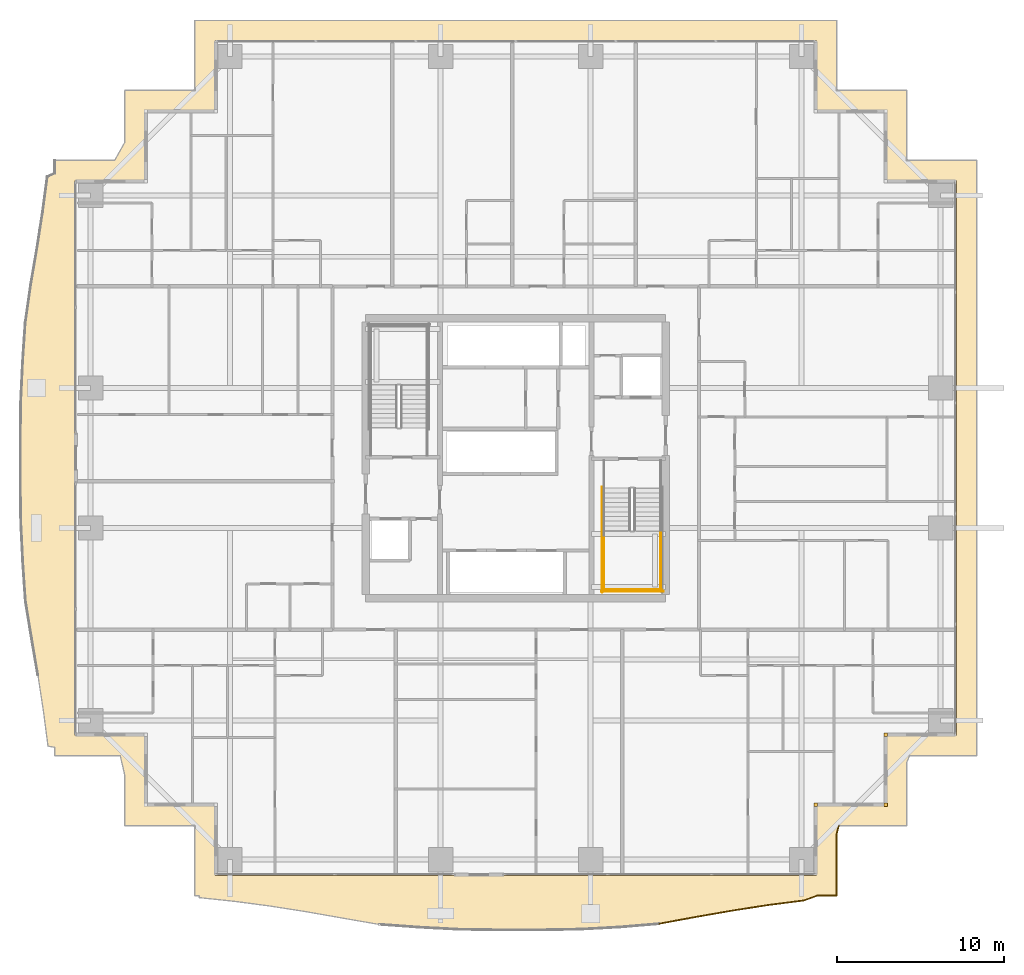
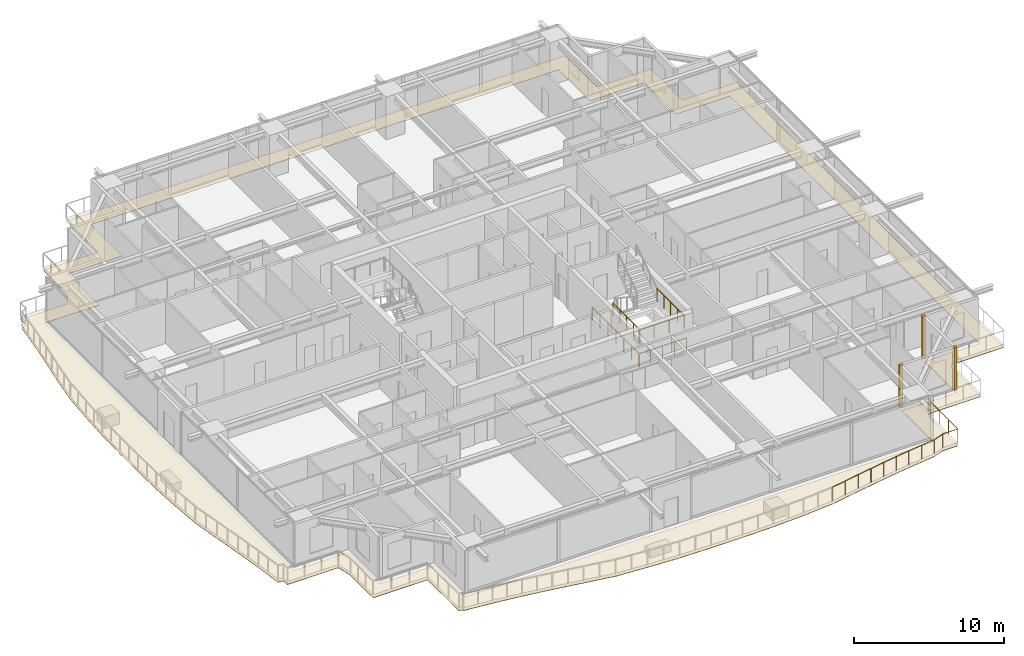
# One storey, part 37 of 41: 6 railings, 4 coverings.
"""IFC4 building model written with IfcOpenShell, lengths in metres."""

from ifc_helpers import new_model, si_unit, direction, frame, origin, origin_2d, place, context, subcontext, project, spatial, polyline, rectangle, circle, outline, extrude, source, transform, mapped, material, layer, layer_set, type_object, element, save


model = new_model("IFC4")

# Units and contexts
model_context = context("Model", 3, precision=1e-05, world=origin(), true_north=direction((0.0, 1.0)))
body_context = subcontext(model_context, "Body", "Model", "MODEL_VIEW")
ifc_project = project(units=[si_unit("LENGTHUNIT", "METRE"), si_unit("AREAUNIT", "SQUARE_METRE"), si_unit("VOLUMEUNIT", "CUBIC_METRE"), si_unit("PLANEANGLEUNIT", "RADIAN"), si_unit("MASSUNIT", "GRAM", prefix="KILO")], contexts=[model_context])

# Site, building, storey
site_placement = place(None, origin())
site = spatial("IfcSite", under=ifc_project, at=site_placement, CompositionType="ELEMENT")
building_placement = place(site_placement, origin())
building = spatial("IfcBuilding", under=site, at=building_placement, Name="Serunith Strait Residences", CompositionType="ELEMENT")
storey_placement = place(building_placement, frame((0.0, 0.0, 45.449951171875)))
storey = spatial("IfcBuildingStorey", under=building, at=storey_placement, Name="L10", CompositionType="ELEMENT", Elevation=45.449951171875)

# Covering
ifc_material_1 = material(Name="Golden Teak Exterior Timber Boarding", Category="wood")
ifc_layer_1 = layer(ifc_material_1, 0.034912109375, Name="Golden Teak Exterior Timber Boarding")
ifc_layer_set_1 = layer_set([ifc_layer_1], Name="Golden Teak Exterior Timber Boarding")
covering_type_1 = type_object("IfcCoveringType", Name="COV-TEAK-SOFFIT", PredefinedType="CEILING", material=ifc_layer_set_1)
covering_placement = place(storey_placement, frame((0.0, 0.0, -0.324951171875)))
element("IfcCovering", 1, at=covering_placement, inside=storey, type_object=covering_type_1, Name="L10 Golden-Teak Balcony Soffit Lining", PredefinedType="CEILING", context=body_context, shape_type="SweptSolid", body=[
    extrude(outline(polyline([(13.139892578125, 3.139892578125), (8.93994140625, 3.139892578125), (8.93994140625, 6.18017578125), (8.674072265625, 7.340087890625), (4.739990234375, 7.340087890625), (4.739990234375, 7.844482421875), (4.337646484375, 7.908935546875), (4.05908203125, 10.03662109375), (3.728759765625, 12.185791015625), (3.35791015625, 14.373291015625), (2.988525390625, 16.62158203125), (2.829345703125, 18.97412109375), (2.712890625, 21.35791015625), (2.679931640625, 23.76318359375), (2.679931640625, 26.1767578125), (2.70751953125, 28.58349609375), (2.8203125, 30.97021484375), (2.9755859375, 33.326904296875), (3.3037109375, 35.5966796875), (3.67724609375, 37.79345703125), (4.0126953125, 39.94921875), (4.298095703125, 42.080810546875), (4.739990234375, 42.282958984375), (4.739990234375, 43.06005859375), (8.3330078125, 43.06005859375), (8.93994140625, 44.125), (8.93994140625, 47.260009765625), (13.139892578125, 47.260009765625), (13.139892578125, 51.4599609375), (51.659912109375, 51.4599609375), (51.659912109375, 47.260009765625), (55.860107421875, 47.260009765625), (55.860107421875, 43.06005859375), (60.06005859375, 43.06005859375), (60.06005859375, 7.340087890625), (56.041259765625, 7.340087890625), (55.860107421875, 6.9423828125), (55.860107421875, 3.139892578125), (51.798095703125, 3.139892578125), (51.659912109375, 2.619140625), (51.659912109375, -1.06005859375), (50.517578125, -1.06005859375), (49.681884765625, -1.360107421875), (47.56005859375, -1.6318359375), (45.419921875, -1.962646484375), (43.2431640625, -2.343994140625), (41.0087890625, -2.7509765625), (38.65869140625, -2.949951171875), (36.264892578125, -3.078857421875), (33.845703125, -3.1201171875), (31.417236328125, -3.1201171875), (28.996337890625, -3.085205078125), (26.598876953125, -2.9609375), (24.23583984375, -2.791259765625), (21.98486328125, -2.40185546875), (19.798828125, -2.016357421875), (17.652587890625, -1.6787109375), (15.527099609375, -1.3994140625), (13.40869140625, -1.1767578125), (13.40966796875, -1.06005859375), (13.139892578125, -1.06005859375), (13.139892578125, 3.139892578125)]), holes=[polyline([(50.455078125, 0.14501953125), (50.455078125, 4.344970703125), (54.655029296875, 4.344970703125), (54.655029296875, 8.544921875), (58.85498046875, 8.544921875), (58.85498046875, 41.85498046875), (54.655029296875, 41.85498046875), (54.655029296875, 46.054931640625), (50.455078125, 46.054931640625), (50.455078125, 50.2548828125), (14.344970703125, 50.2548828125), (14.344970703125, 46.054931640625), (10.14501953125, 46.054931640625), (10.14501953125, 41.85498046875), (5.945068359375, 41.85498046875), (5.945068359375, 8.544921875), (10.14501953125, 8.544921875), (10.14501953125, 4.344970703125), (14.344970703125, 4.344970703125), (14.344970703125, 0.14501953125), (50.455078125, 0.14501953125)])]), origin(), (0.0, 0.0, 1.0), 0.034912109375),
])

# Railings
ifc_material_2 = material(Name="Stainless Steel & Laminated Glass Balustrade", Category="steel")
railing_type_1 = type_object("IfcRailingType", Name="RLG-BALC-1150", PredefinedType="BALUSTRADE", material=ifc_material_2)
railing_1_placement = place(storey_placement, frame((51.798095703125, 3.139892578125, -0.050048828125)))
element("IfcRailing", 2, at=railing_1_placement, inside=storey, type_object=railing_type_1, Name="L10 Swirling Balcony Perimeter Balustrade 6", PredefinedType="BALUSTRADE", context=body_context, shape_type="SweptSolid", body=[
    extrude(circle(Radius=0.02392578125, at=origin_2d()), frame((-0.00048828125, -0.001953125, 1.1259765625), z_axis=(-0.25647789705, -0.966550096128, 0.0), x_axis=(0.966550096128, -0.25647789705, 0.0)), (0.0, 0.0, 1.0), 0.53466796875),
    extrude(circle(Radius=0.02392578125, at=origin_2d()), frame((-0.13818359375, -0.522705078125, 1.1259765625), z_axis=(0.0, -1.0, 0.0), x_axis=(1.0, 0.0, 0.0)), (0.0, 0.0, 1.0), 3.67529296875),
    extrude(circle(Radius=0.02392578125, at=origin_2d()), frame((-0.14013671875, -4.199951171875, 1.1259765625), z_axis=(-1.0, 0.0, 0.0), x_axis=(0.0, -1.0, 0.0)), (0.0, 0.0, 1.0), 1.138427734375),
    extrude(circle(Radius=0.02392578125, at=origin_2d()), frame((-1.282470703125, -4.20068359375, 1.1259765625), z_axis=(-0.941174491763, -0.337920961255, 0.0), x_axis=(0.337920961255, -0.941174491763, 0.0)), (0.0, 0.0, 1.0), 0.884033203125),
    extrude(circle(Radius=0.02392578125, at=origin_2d()), frame((-2.1181640625, -4.500244140625, 1.1259765625), z_axis=(-0.991899372443, -0.12702611915, 0.0), x_axis=(0.12702611915, -0.991899372443, 0.0)), (0.0, 0.0, 1.0), 2.13525390625),
    extrude(circle(Radius=0.02392578125, at=origin_2d()), frame((-4.239990234375, -4.77197265625, 1.1259765625), z_axis=(-0.988263270972, -0.152760293425, 0.0), x_axis=(0.152760293425, -0.988263270972, 0.0)), (0.0, 0.0, 1.0), 2.16162109375),
    extrude(circle(Radius=0.02392578125, at=origin_2d()), frame((-6.380126953125, -5.102783203125, 1.1259765625), z_axis=(-0.984998560497, -0.172562556247, 0.0), x_axis=(0.172562556247, -0.984998560497, 0.0)), (0.0, 0.0, 1.0), 2.205810546875),
    extrude(circle(Radius=0.02392578125, at=origin_2d()), frame((-8.556884765625, -5.484130859375, 1.1259765625), z_axis=(-0.983813102127, -0.179197600661, 0.0), x_axis=(0.179197600661, -0.983813102127, 0.0)), (0.0, 0.0, 1.0), 2.26708984375),
    extrude(circle(Radius=0.02099609375, at=origin_2d()), origin(), (0.0, 0.0, 1.0), 1.099853515625),
    extrude(circle(Radius=0.02099609375, at=origin_2d()), frame((-0.13818359375, -0.520751953125, 0.0)), (0.0, 0.0, 1.0), 1.099853515625),
    extrude(circle(Radius=0.02099609375, at=origin_2d()), frame((-0.13818359375, -1.7470703125, 0.0)), (0.0, 0.0, 1.0), 1.099853515625),
    extrude(circle(Radius=0.02099609375, at=origin_2d()), frame((-0.13818359375, -2.9736328125, 0.0)), (0.0, 0.0, 1.0), 1.099853515625),
    extrude(circle(Radius=0.02099609375, at=origin_2d()), frame((-0.13818359375, -4.199951171875, 0.0)), (0.0, 0.0, 1.0), 1.099853515625),
    extrude(circle(Radius=0.02099609375, at=origin_2d()), frame((-1.280517578125, -4.199951171875, 0.0)), (0.0, 0.0, 1.0), 1.099853515625),
    extrude(circle(Radius=0.02099609375, at=origin_2d()), frame((-2.1162109375, -4.5, 0.0)), (0.0, 0.0, 1.0), 1.099853515625),
    extrude(circle(Radius=0.02099609375, at=origin_2d()), frame((-3.17724609375, -4.6357421875, 0.0)), (0.0, 0.0, 1.0), 1.099853515625),
    extrude(circle(Radius=0.02099609375, at=origin_2d()), frame((-4.238037109375, -4.771728515625, 0.0)), (0.0, 0.0, 1.0), 1.099853515625),
    extrude(circle(Radius=0.02099609375, at=origin_2d()), frame((-5.30810546875, -4.93701171875, 0.0)), (0.0, 0.0, 1.0), 1.099853515625),
    extrude(circle(Radius=0.02099609375, at=origin_2d()), frame((-6.378173828125, -5.1025390625, 0.0)), (0.0, 0.0, 1.0), 1.099853515625),
    extrude(circle(Radius=0.02099609375, at=origin_2d()), frame((-7.466552734375, -5.293212890625, 0.0)), (0.0, 0.0, 1.0), 1.099853515625),
    extrude(circle(Radius=0.02099609375, at=origin_2d()), frame((-8.554931640625, -5.48388671875, 0.0)), (0.0, 0.0, 1.0), 1.099853515625),
    extrude(circle(Radius=0.02099609375, at=origin_2d()), frame((-9.672119140625, -5.6875, 0.0)), (0.0, 0.0, 1.0), 1.099853515625),
    extrude(circle(Radius=0.02099609375, at=origin_2d()), frame((-10.789306640625, -5.890869140625, 0.0)), (0.0, 0.0, 1.0), 1.099853515625),
])
ifc_material_3 = material(Name="Brushed stainless steel 316L", Category="steel")
railing_type_2 = type_object("IfcRailingType", Name="RLG-STAIR-GUARD", PredefinedType="BALUSTRADE", material=ifc_material_3)
for number, where, name in (
    (3, (37.699951171875, 20.85009765625, 1.875), "L10 ST-2 stair guard 3"),
    (4, (41.10009765625, 20.85009765625, 1.875), "L10 ST-2 stair guard 4"),
):
    element("IfcRailing", number, at=place(storey_placement, frame(where)), inside=storey, type_object=railing_type_2, Name=name, PredefinedType="BALUSTRADE", context=body_context, shape_type="SweptSolid", body=[
        extrude(circle(Radius=0.02392578125, at=origin_2d()), frame((0.0, -0.001953125, 1.076171875), z_axis=(0.0, -1.0, 0.0), x_axis=(1.0, 0.0, 0.0)), (0.0, 0.0, 1.0), 3.59619140625),
        extrude(circle(Radius=0.02099609375, at=origin_2d()), origin(), (0.0, 0.0, 1.0), 1.050048828125),
        extrude(circle(Radius=0.02099609375, at=origin_2d()), frame((0.0, -0.89990234375, 0.0)), (0.0, 0.0, 1.0), 1.050048828125),
        extrude(circle(Radius=0.02099609375, at=origin_2d()), frame((0.0, -1.800048828125, 0.0)), (0.0, 0.0, 1.0), 1.050048828125),
        extrude(circle(Radius=0.02099609375, at=origin_2d()), frame((0.0, -2.7001953125, 0.0)), (0.0, 0.0, 1.0), 1.050048828125),
        extrude(circle(Radius=0.02099609375, at=origin_2d()), frame((0.0, -3.60009765625, 0.0)), (0.0, 0.0, 1.0), 1.050048828125),
    ])
railing_2_placement = place(storey_placement, frame((37.64990234375, 17.300048828125, 1.875)))
element("IfcRailing", 5, at=railing_2_placement, inside=storey, type_object=railing_type_2, Name="L10 ST-2 stair guard 5", PredefinedType="BALUSTRADE", context=body_context, shape_type="SweptSolid", body=[
    extrude(circle(Radius=0.02392578125, at=origin_2d()), frame((0.001953125, 0.0, 1.076171875), z_axis=(1.0, 0.0, 0.0), x_axis=(0.0, 1.0, 0.0)), (0.0, 0.0, 1.0), 3.49609375),
    extrude(circle(Radius=0.02099609375, at=origin_2d()), origin(), (0.0, 0.0, 1.0), 1.050048828125),
    extrude(circle(Radius=0.02099609375, at=origin_2d()), frame((1.166748046875, 0.0, 0.0)), (0.0, 0.0, 1.0), 1.050048828125),
    extrude(circle(Radius=0.02099609375, at=origin_2d()), frame((2.333251953125, 0.0, 0.0)), (0.0, 0.0, 1.0), 1.050048828125),
    extrude(circle(Radius=0.02099609375, at=origin_2d()), frame((3.5, 0.0, 0.0)), (0.0, 0.0, 1.0), 1.050048828125),
])
railing_3_placement = place(storey_placement, frame((37.60009765625, 23.469970703125, 0.0)))
element("IfcRailing", 6, at=railing_3_placement, inside=storey, type_object=railing_type_2, Name="L10 ST-2 stair guard 10", PredefinedType="BALUSTRADE", context=body_context, shape_type="SweptSolid", body=[
    extrude(circle(Radius=0.02392578125, at=origin_2d()), frame((0.0, -0.001953125, 1.076171875), z_axis=(0.0, -1.0, 0.0), x_axis=(1.0, 0.0, 0.0)), (0.0, 0.0, 1.0), 6.316162109375),
    extrude(circle(Radius=0.02099609375, at=origin_2d()), origin(), (0.0, 0.0, 1.0), 1.050048828125),
    extrude(circle(Radius=0.02099609375, at=origin_2d()), frame((0.0, -1.05322265625, 0.0)), (0.0, 0.0, 1.0), 1.050048828125),
    extrude(circle(Radius=0.02099609375, at=origin_2d()), frame((0.0, -2.106689453125, 0.0)), (0.0, 0.0, 1.0), 1.050048828125),
    extrude(circle(Radius=0.02099609375, at=origin_2d()), frame((0.0, -3.16015625, 0.0)), (0.0, 0.0, 1.0), 1.050048828125),
    extrude(circle(Radius=0.02099609375, at=origin_2d()), frame((0.0, -4.21337890625, 0.0)), (0.0, 0.0, 1.0), 1.050048828125),
    extrude(circle(Radius=0.02099609375, at=origin_2d()), frame((0.0, -5.2666015625, 0.0)), (0.0, 0.0, 1.0), 1.050048828125),
    extrude(circle(Radius=0.02099609375, at=origin_2d()), frame((0.0, -6.320068359375, 0.0)), (0.0, 0.0, 1.0), 1.050048828125),
])
railing_4_placement = place(storey_placement, frame((37.550048828125, 17.199951171875, 0.0)))
element("IfcRailing", 7, at=railing_4_placement, inside=storey, type_object=railing_type_2, Name="L10 ST-2 stair guard 12", PredefinedType="BALUSTRADE", context=body_context, shape_type="SweptSolid", body=[
    extrude(circle(Radius=0.02392578125, at=origin_2d()), frame((0.001953125, 0.0, 1.076171875), z_axis=(1.0, 0.0, 0.0), x_axis=(0.0, 1.0, 0.0)), (0.0, 0.0, 1.0), 3.696044921875),
    extrude(circle(Radius=0.02099609375, at=origin_2d()), origin(), (0.0, 0.0, 1.0), 1.050048828125),
    extrude(circle(Radius=0.02099609375, at=origin_2d()), frame((0.925048828125, 0.0, 0.0)), (0.0, 0.0, 1.0), 1.050048828125),
    extrude(circle(Radius=0.02099609375, at=origin_2d()), frame((1.85009765625, 0.0, 0.0)), (0.0, 0.0, 1.0), 1.050048828125),
    extrude(circle(Radius=0.02099609375, at=origin_2d()), frame((2.77490234375, 0.0, 0.0)), (0.0, 0.0, 1.0), 1.050048828125),
    extrude(circle(Radius=0.02099609375, at=origin_2d()), frame((3.699951171875, 0.0, 0.0)), (0.0, 0.0, 1.0), 1.050048828125),
])

# Coverings
ifc_material_4 = material(Name="Pale-Champagne Anodised Aluminium", Category="aluminium")
ifc_layer_2 = layer(ifc_material_4, 0.219970703125, Name="Pale-Champagne Anodised Aluminium")
ifc_layer_set_2 = layer_set([ifc_layer_2], Name="Pale-Champagne Anodised Aluminium")
covering_type_2 = type_object("IfcCoveringType", Name="COV-CORN-TRIM", PredefinedType="CLADDING", material=ifc_layer_set_2)
shared_shape = source(origin(), body_context, "Body", "SweptSolid", [
    extrude(rectangle(XDim=0.221923828125, YDim=0.221923828125, at=origin_2d()), origin(), (0.0, 0.0, 1.0), 3.47509765625),
])
for number, where, z_axis, x_axis, name in (
    (8, (50.39990234375, 4.39990234375, 0.0), (0.0, 0.0, 1.0), (1.0, 0.0, 0.0), "L10 Girih Serrated Corner Trim Post 02"),
    (9, (54.60009765625, 4.39990234375, 0.0), (0.0, 0.0, 1.0), (1.0, 0.0, 0.0), "L10 Girih Serrated Corner Trim Post 03"),
    (10, (54.60009765625, 8.60009765625, 0.0), (0.0, 0.0, 1.0), (1.0, 0.0, 0.0), "L10 Girih Serrated Corner Trim Post 04"),
):
    element("IfcCovering", number, at=place(storey_placement, frame(where, z_axis=z_axis, x_axis=x_axis)), inside=storey, type_object=covering_type_2, Name=name, PredefinedType="CLADDING", context=body_context, shape_type="MappedRepresentation", body=[
        mapped(shared_shape, transform((0.0, 0.0, 0.0), scale=1.0)),
    ])

save(model, "model.ifc")
